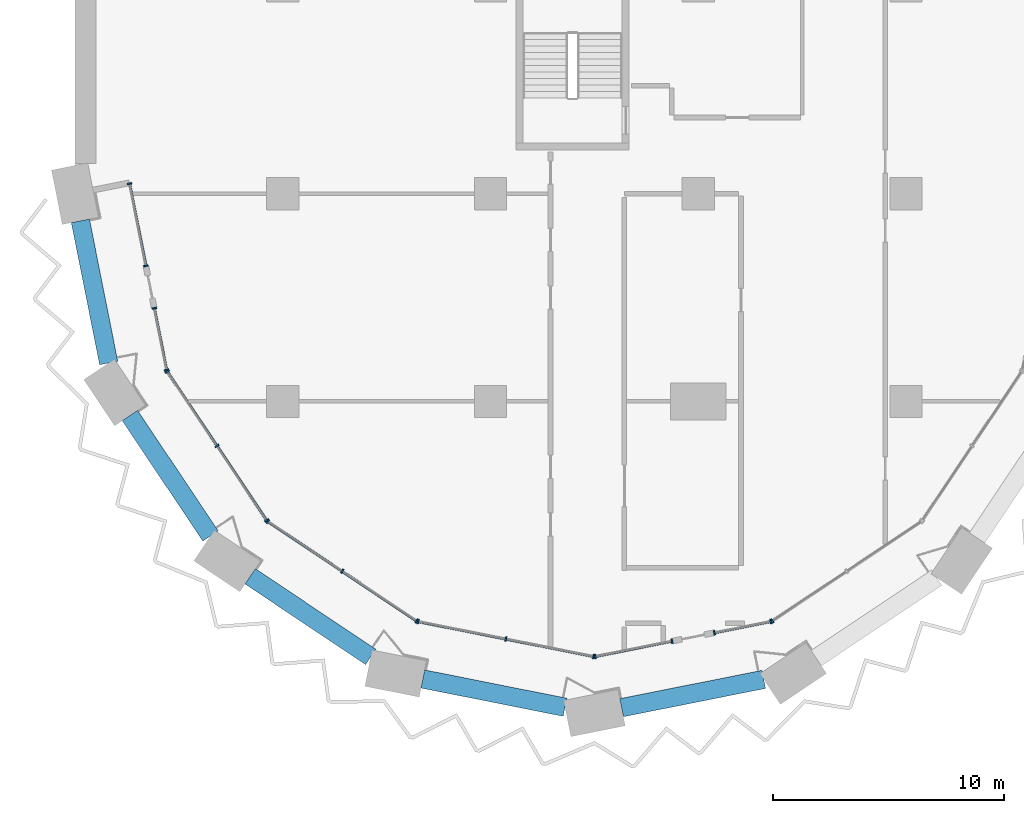
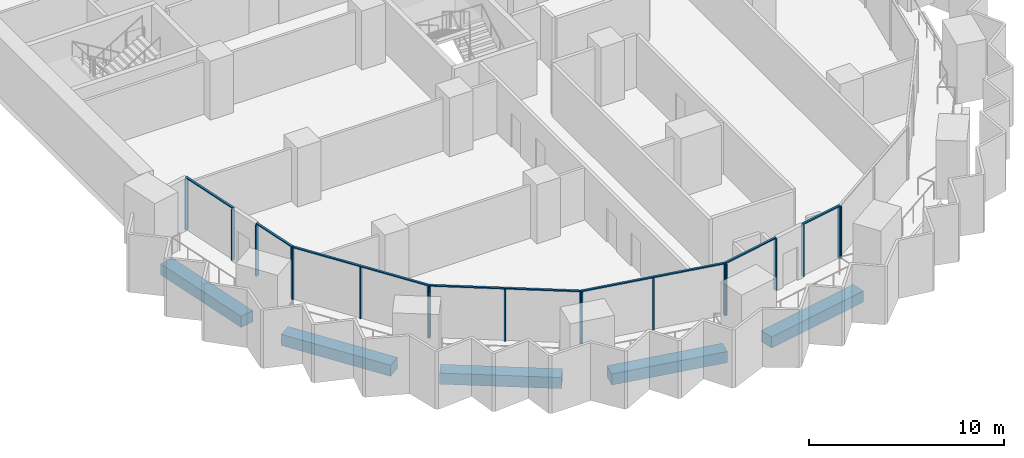
# One storey, part 2 of 28: 25 members, 5 beams, 8 elements without a shape of their own.
"""IFC4 building model written with IfcOpenShell, lengths in metres."""

from ifc_helpers import new_model, si_unit, direction, frame, origin, origin_2d, place, context, subcontext, project, spatial, rectangle, extrude, material, material_profile, profile_set, type_object, element, aggregate, save


model = new_model("IFC4")

# Units and contexts
model_context = context("Model", 3, precision=1e-05, world=origin(), true_north=direction((0.0, 1.0)))
body_context = subcontext(model_context, "Body", "Model", "MODEL_VIEW")
ifc_project = project(units=[si_unit("LENGTHUNIT", "METRE"), si_unit("AREAUNIT", "SQUARE_METRE"), si_unit("VOLUMEUNIT", "CUBIC_METRE"), si_unit("PLANEANGLEUNIT", "RADIAN"), si_unit("MASSUNIT", "GRAM", prefix="KILO")], contexts=[model_context])

# Site, building, storey
site_placement = place(None, origin())
site = spatial("IfcSite", under=ifc_project, at=site_placement, CompositionType="ELEMENT")
building_placement = place(site_placement, origin())
building = spatial("IfcBuilding", under=site, at=building_placement, Name="Hunhe Ridgeline Campus", CompositionType="ELEMENT")
storey_placement = place(building_placement, frame((0.0, 0.0, 61.699951171875)))
storey = spatial("IfcBuildingStorey", under=building, at=storey_placement, Name="L14", CompositionType="ELEMENT", Elevation=61.699951171875)

# Curtain wall, members
ifc_material_1 = material(Name="Aluminium 6063", Category="aluminium")
curtain_wall_type = type_object("IfcCurtainWallType", Name="Curtain wall CW-5", PredefinedType="NOTDEFINED", material=ifc_material_1)
curtain_wall_1_placement = place(storey_placement, origin())
curtain_wall_1 = element("IfcCurtainWall", 1, at=curtain_wall_1_placement, inside=storey, type_object=curtain_wall_type, Name="Curtain wall 01", PredefinedType="NOTDEFINED")
ifc_material_profile_1 = material_profile(ifc_material_1, rectangle(XDim=0.199951171875, YDim=0.070068359375, at=origin_2d()))
ifc_profile_set_1 = profile_set([ifc_material_profile_1], Name="Aluminium 6063")
member_type_1 = type_object("IfcMemberType", Name="CW-5 aluminium mullion", PredefinedType="MULLION", material=ifc_profile_set_1)
member_1_placement = place(storey_placement, frame((2.361572265625, 27.434326171875, 0.0), z_axis=(0.0, 0.0, 1.0), x_axis=(0.980784284924, 0.195095326561, 0.0)))
member_1 = element("IfcMember", 2, at=member_1_placement, type_object=member_type_1, Name="CW-5 mullion 1", PredefinedType="MULLION", context=body_context, shape_type="SweptSolid", body=[
    extrude(rectangle(XDim=0.199951171875, YDim=0.070068359375, at=origin_2d()), origin(), (0.0, 0.0, 1.0), 3.22998046875),
])
member_2_placement = place(storey_placement, frame((3.070068359375, 23.873291015625, 0.0), z_axis=(0.0, 0.0, 1.0), x_axis=(0.980784284924, 0.195095326561, 0.0)))
member_2 = element("IfcMember", 3, at=member_2_placement, type_object=member_type_1, Name="CW-5 mullion 2", PredefinedType="MULLION", context=body_context, shape_type="SweptSolid", body=[
    extrude(rectangle(XDim=0.199951171875, YDim=0.070068359375, at=origin_2d()), origin(), (0.0, 0.0, 1.0), 3.22998046875),
])

curtain_wall_2_placement = place(storey_placement, origin())
curtain_wall_2 = element("IfcCurtainWall", 4, at=curtain_wall_2_placement, inside=storey, type_object=curtain_wall_type, Name="Curtain wall 02", PredefinedType="NOTDEFINED")
member_3_placement = place(storey_placement, frame((3.434814453125, 22.0390625, 0.0), z_axis=(0.0, 0.0, 1.0), x_axis=(0.980784297053, 0.195095265587, 0.0)))
member_3 = element("IfcMember", 5, at=member_3_placement, type_object=member_type_1, Name="CW-5 mullion 1", PredefinedType="MULLION", context=body_context, shape_type="SweptSolid", body=[
    extrude(rectangle(XDim=0.199951171875, YDim=0.070068359375, at=origin_2d()), origin(), (0.0, 0.0, 1.0), 3.22998046875),
])
member_4_placement = place(storey_placement, frame((3.967529296875, 19.36083984375, 0.0), z_axis=(0.0, 0.0, 1.0), x_axis=(0.980784297053, 0.195095265587, 0.0)))
member_4 = element("IfcMember", 6, at=member_4_placement, type_object=member_type_1, Name="CW-5 mullion 2", PredefinedType="MULLION", context=body_context, shape_type="SweptSolid", body=[
    extrude(rectangle(XDim=0.199951171875, YDim=0.070068359375, at=origin_2d()), origin(), (0.0, 0.0, 1.0), 3.22998046875),
])

curtain_wall_3_placement = place(storey_placement, origin())
curtain_wall_3 = element("IfcCurtainWall", 7, at=curtain_wall_3_placement, inside=storey, type_object=curtain_wall_type, Name="Curtain wall 03", PredefinedType="NOTDEFINED")
member_5_placement = place(storey_placement, frame((3.993896484375, 19.29736328125, 0.0), z_axis=(0.0, 0.0, 1.0), x_axis=(0.831469584522, 0.555570274596, 0.0)))
member_5 = element("IfcMember", 8, at=member_5_placement, type_object=member_type_1, Name="CW-5 mullion 1", PredefinedType="MULLION", context=body_context, shape_type="SweptSolid", body=[
    extrude(rectangle(XDim=0.199951171875, YDim=0.070068359375, at=origin_2d()), origin(), (0.0, 0.0, 1.0), 3.22998046875),
])
member_6_placement = place(storey_placement, frame((6.147705078125, 16.07373046875, 0.0), z_axis=(0.0, 0.0, 1.0), x_axis=(0.831469584522, 0.555570274596, 0.0)))
member_6 = element("IfcMember", 9, at=member_6_placement, type_object=member_type_1, Name="CW-5 mullion 2", PredefinedType="MULLION", context=body_context, shape_type="SweptSolid", body=[
    extrude(rectangle(XDim=0.199951171875, YDim=0.070068359375, at=origin_2d()), origin(), (0.0, 0.0, 1.0), 3.22998046875),
])
member_7_placement = place(storey_placement, frame((8.3017578125, 12.850341796875, 0.0), z_axis=(0.0, 0.0, 1.0), x_axis=(0.831469584522, 0.555570274596, 0.0)))
member_7 = element("IfcMember", 10, at=member_7_placement, type_object=member_type_1, Name="CW-5 mullion 3", PredefinedType="MULLION", context=body_context, shape_type="SweptSolid", body=[
    extrude(rectangle(XDim=0.199951171875, YDim=0.070068359375, at=origin_2d()), origin(), (0.0, 0.0, 1.0), 3.22998046875),
])

curtain_wall_4_placement = place(storey_placement, origin())
curtain_wall_4 = element("IfcCurtainWall", 11, at=curtain_wall_4_placement, inside=storey, type_object=curtain_wall_type, Name="Curtain wall 04", PredefinedType="NOTDEFINED")
member_8_placement = place(storey_placement, frame((8.350341796875, 12.8017578125, 0.0), z_axis=(0.0, 0.0, 1.0), x_axis=(0.555570274596, 0.831469584522, 0.0)))
member_8 = element("IfcMember", 12, at=member_8_placement, type_object=member_type_1, Name="CW-5 mullion 1", PredefinedType="MULLION", context=body_context, shape_type="SweptSolid", body=[
    extrude(rectangle(XDim=0.199951171875, YDim=0.070068359375, at=origin_2d()), origin(), (0.0, 0.0, 1.0), 3.22998046875),
])
member_9_placement = place(storey_placement, frame((11.57373046875, 10.647705078125, 0.0), z_axis=(0.0, 0.0, 1.0), x_axis=(0.555570274596, 0.831469584522, 0.0)))
member_9 = element("IfcMember", 13, at=member_9_placement, type_object=member_type_1, Name="CW-5 mullion 2", PredefinedType="MULLION", context=body_context, shape_type="SweptSolid", body=[
    extrude(rectangle(XDim=0.199951171875, YDim=0.070068359375, at=origin_2d()), origin(), (0.0, 0.0, 1.0), 3.22998046875),
])
member_10_placement = place(storey_placement, frame((14.79736328125, 8.493896484375, 0.0), z_axis=(0.0, 0.0, 1.0), x_axis=(0.555570274596, 0.831469584522, 0.0)))
member_10 = element("IfcMember", 14, at=member_10_placement, type_object=member_type_1, Name="CW-5 mullion 3", PredefinedType="MULLION", context=body_context, shape_type="SweptSolid", body=[
    extrude(rectangle(XDim=0.199951171875, YDim=0.070068359375, at=origin_2d()), origin(), (0.0, 0.0, 1.0), 3.22998046875),
])

curtain_wall_5_placement = place(storey_placement, origin())
curtain_wall_5 = element("IfcCurtainWall", 15, at=curtain_wall_5_placement, inside=storey, type_object=curtain_wall_type, Name="Curtain wall 05", PredefinedType="NOTDEFINED")
member_11_placement = place(storey_placement, frame((14.86083984375, 8.467529296875, 0.0), z_axis=(0.0, 0.0, 1.0), x_axis=(0.195090347539, 0.980785275326, 0.0)))
member_11 = element("IfcMember", 16, at=member_11_placement, type_object=member_type_1, Name="CW-5 mullion 1", PredefinedType="MULLION", context=body_context, shape_type="SweptSolid", body=[
    extrude(rectangle(XDim=0.199951171875, YDim=0.070068359375, at=origin_2d()), origin(), (0.0, 0.0, 1.0), 3.22998046875),
])
member_12_placement = place(storey_placement, frame((18.663330078125, 7.711181640625, 0.0), z_axis=(0.0, 0.0, 1.0), x_axis=(0.195090347539, 0.980785275326, 0.0)))
member_12 = element("IfcMember", 17, at=member_12_placement, type_object=member_type_1, Name="CW-5 mullion 2", PredefinedType="MULLION", context=body_context, shape_type="SweptSolid", body=[
    extrude(rectangle(XDim=0.199951171875, YDim=0.070068359375, at=origin_2d()), origin(), (0.0, 0.0, 1.0), 3.22998046875),
])
member_13_placement = place(storey_placement, frame((22.465576171875, 6.954833984375, 0.0), z_axis=(0.0, 0.0, 1.0), x_axis=(0.195090347539, 0.980785275326, 0.0)))
member_13 = element("IfcMember", 18, at=member_13_placement, type_object=member_type_1, Name="CW-5 mullion 3", PredefinedType="MULLION", context=body_context, shape_type="SweptSolid", body=[
    extrude(rectangle(XDim=0.199951171875, YDim=0.070068359375, at=origin_2d()), origin(), (0.0, 0.0, 1.0), 3.22998046875),
])

curtain_wall_6_placement = place(storey_placement, origin())
curtain_wall_6 = element("IfcCurtainWall", 19, at=curtain_wall_6_placement, inside=storey, type_object=curtain_wall_type, Name="Curtain wall 06", PredefinedType="NOTDEFINED")
member_14_placement = place(storey_placement, frame((22.534423828125, 6.954833984375, 0.0), z_axis=(0.0, 0.0, 1.0), x_axis=(-0.19509037034, 0.980785270791, 0.0)))
member_14 = element("IfcMember", 20, at=member_14_placement, type_object=member_type_1, Name="CW-5 mullion 1", PredefinedType="MULLION", context=body_context, shape_type="SweptSolid", body=[
    extrude(rectangle(XDim=0.199951171875, YDim=0.070068359375, at=origin_2d()), origin(), (0.0, 0.0, 1.0), 3.22998046875),
])
member_15_placement = place(storey_placement, frame((25.861083984375, 7.61669921875, 0.0), z_axis=(0.0, 0.0, 1.0), x_axis=(-0.19509037034, 0.980785270791, 0.0)))
member_15 = element("IfcMember", 21, at=member_15_placement, type_object=member_type_1, Name="CW-5 mullion 2", PredefinedType="MULLION", context=body_context, shape_type="SweptSolid", body=[
    extrude(rectangle(XDim=0.199951171875, YDim=0.070068359375, at=origin_2d()), origin(), (0.0, 0.0, 1.0), 3.22998046875),
])

curtain_wall_7_placement = place(storey_placement, origin())
curtain_wall_7 = element("IfcCurtainWall", 22, at=curtain_wall_7_placement, inside=storey, type_object=curtain_wall_type, Name="Curtain wall 07", PredefinedType="NOTDEFINED")
member_16_placement = place(storey_placement, frame((27.695068359375, 7.9814453125, 0.0), z_axis=(0.0, 0.0, 1.0), x_axis=(-0.195090514627, 0.980785242091, 0.0)))
member_16 = element("IfcMember", 23, at=member_16_placement, type_object=member_type_1, Name="CW-5 mullion 1", PredefinedType="MULLION", context=body_context, shape_type="SweptSolid", body=[
    extrude(rectangle(XDim=0.199951171875, YDim=0.070068359375, at=origin_2d()), origin(), (0.0, 0.0, 1.0), 3.22998046875),
])
member_17_placement = place(storey_placement, frame((30.13916015625, 8.467529296875, 0.0), z_axis=(0.0, 0.0, 1.0), x_axis=(-0.195090514627, 0.980785242091, 0.0)))
member_17 = element("IfcMember", 24, at=member_17_placement, type_object=member_type_1, Name="CW-5 mullion 2", PredefinedType="MULLION", context=body_context, shape_type="SweptSolid", body=[
    extrude(rectangle(XDim=0.199951171875, YDim=0.070068359375, at=origin_2d()), origin(), (0.0, 0.0, 1.0), 3.22998046875),
])

# Curtain wall, member
curtain_wall_8_placement = place(storey_placement, origin())
curtain_wall_8 = element("IfcCurtainWall", 25, at=curtain_wall_8_placement, inside=storey, type_object=curtain_wall_type, Name="Curtain wall 08", PredefinedType="NOTDEFINED")
member_18_placement = place(storey_placement, frame((30.20263671875, 8.493896484375, 0.0), z_axis=(0.0, 0.0, 1.0), x_axis=(-0.555570274596, 0.831469584522, 0.0)))
member_18 = element("IfcMember", 26, at=member_18_placement, type_object=member_type_1, Name="CW-5 mullion 1", PredefinedType="MULLION", context=body_context, shape_type="SweptSolid", body=[
    extrude(rectangle(XDim=0.199951171875, YDim=0.070068359375, at=origin_2d()), origin(), (0.0, 0.0, 1.0), 3.22998046875),
])
aggregate(curtain_wall_8, [member_18])

# Member
ifc_material_profile_2 = material_profile(ifc_material_1, rectangle(XDim=0.1201171875, YDim=0.070068359375, at=origin_2d()))
ifc_profile_set_2 = profile_set([ifc_material_profile_2], Name="Aluminium 6063")
member_type_2 = type_object("IfcMemberType", Name="CW-5 aluminium transom", PredefinedType="USERDEFINED", material=ifc_profile_set_2)
member_19_placement = place(storey_placement, frame((2.354736328125, 27.46875, 3.26513671875), z_axis=(0.195126549745, -0.980778073564, 0.0), x_axis=(0.980778073564, 0.195126549745, 0.0)))
member_19 = element("IfcMember", 27, at=member_19_placement, type_object=member_type_2, Name="CW-5 transom 1", ObjectType="TRANSOM", PredefinedType="USERDEFINED", context=body_context, shape_type="SweptSolid", body=[
    extrude(rectangle(XDim=0.1201171875, YDim=0.070068359375, at=origin_2d()), origin(), (0.0, 0.0, 1.0), 3.700927734375),
])

aggregate(curtain_wall_1, [member_19, member_1, member_2])

member_20_placement = place(storey_placement, frame((3.427978515625, 22.073486328125, 3.26513671875), z_axis=(0.195076742145, -0.98078798151, 0.0), x_axis=(0.98078798151, 0.195076742145, 0.0)))
member_20 = element("IfcMember", 28, at=member_20_placement, type_object=member_type_2, Name="CW-5 transom 1", ObjectType="TRANSOM", PredefinedType="USERDEFINED", context=body_context, shape_type="SweptSolid", body=[
    extrude(rectangle(XDim=0.1201171875, YDim=0.070068359375, at=origin_2d()), origin(), (0.0, 0.0, 1.0), 2.80078125),
])

aggregate(curtain_wall_2, [member_20, member_3, member_4])

member_21_placement = place(storey_placement, frame((3.974365234375, 19.326416015625, 3.26513671875), z_axis=(0.5555640203, -0.831473763475, 0.0), x_axis=(0.831473763475, 0.5555640203, 0.0)))
member_21 = element("IfcMember", 29, at=member_21_placement, type_object=member_type_2, Name="CW-5 transom 1", ObjectType="TRANSOM", PredefinedType="USERDEFINED", context=body_context, shape_type="SweptSolid", body=[
    extrude(rectangle(XDim=0.1201171875, YDim=0.070068359375, at=origin_2d()), origin(), (0.0, 0.0, 1.0), 7.823974609375),
])

aggregate(curtain_wall_3, [member_21, member_5, member_6, member_7])

member_22_placement = place(storey_placement, frame((8.321044921875, 12.821044921875, 3.26513671875), z_axis=(0.831473763475, -0.5555640203, 0.0), x_axis=(0.5555640203, 0.831473763475, 0.0)))
member_22 = element("IfcMember", 30, at=member_22_placement, type_object=member_type_2, Name="CW-5 transom 1", ObjectType="TRANSOM", PredefinedType="USERDEFINED", context=body_context, shape_type="SweptSolid", body=[
    extrude(rectangle(XDim=0.1201171875, YDim=0.070068359375, at=origin_2d()), origin(), (0.0, 0.0, 1.0), 7.823974609375),
])

aggregate(curtain_wall_4, [member_22, member_8, member_9, member_10])

member_23_placement = place(storey_placement, frame((14.826416015625, 8.474365234375, 3.26513671875), z_axis=(0.980785367689, -0.195089883198, 0.0), x_axis=(0.195089883198, 0.980785367689, 0.0)))
member_23 = element("IfcMember", 31, at=member_23_placement, type_object=member_type_2, Name="CW-5 transom 1", ObjectType="TRANSOM", PredefinedType="USERDEFINED", context=body_context, shape_type="SweptSolid", body=[
    extrude(rectangle(XDim=0.1201171875, YDim=0.070068359375, at=origin_2d()), origin(), (0.0, 0.0, 1.0), 7.823974609375),
])

aggregate(curtain_wall_5, [member_23, member_11, member_12, member_13])

member_24_placement = place(storey_placement, frame((22.5, 6.947998046875, 3.26513671875), z_axis=(0.980778171596, 0.195126057004, 0.0), x_axis=(-0.195126057004, 0.980778171596, 0.0)))
member_24 = element("IfcMember", 32, at=member_24_placement, type_object=member_type_2, Name="CW-5 transom 1", ObjectType="TRANSOM", PredefinedType="USERDEFINED", context=body_context, shape_type="SweptSolid", body=[
    extrude(rectangle(XDim=0.1201171875, YDim=0.070068359375, at=origin_2d()), origin(), (0.0, 0.0, 1.0), 3.462158203125),
])

aggregate(curtain_wall_6, [member_24, member_14, member_15])

member_25_placement = place(storey_placement, frame((27.660888671875, 7.974609375, 3.26513671875), z_axis=(0.980789038007, 0.195071430315, 0.0), x_axis=(-0.195071430315, 0.980789038007, 0.0)))
member_25 = element("IfcMember", 33, at=member_25_placement, type_object=member_type_2, Name="CW-5 transom 1", ObjectType="TRANSOM", PredefinedType="USERDEFINED", context=body_context, shape_type="SweptSolid", body=[
    extrude(rectangle(XDim=0.1201171875, YDim=0.070068359375, at=origin_2d()), origin(), (0.0, 0.0, 1.0), 2.56201171875),
])

aggregate(curtain_wall_7, [member_25, member_16, member_17])

# Beams
ifc_material_2 = material(Name="Concrete C60", Category="concrete")
ifc_material_profile_3 = material_profile(ifc_material_2, rectangle(XDim=0.800048828125, YDim=0.699951171875, at=origin_2d()))
ifc_profile_set_3 = profile_set([ifc_material_profile_3], Name="Concrete C60")
beam_type = type_object("IfcBeamType", Name="RC spandrel beam 800x700 Concrete C60", PredefinedType="SPANDREL", material=ifc_profile_set_3)
for number, where, z_axis, x_axis, name in (
    (34, (0.234130859375, 25.822998046875, -0.599853515625), (0.195076855144, -0.980787959034, 0.0), (0.980787959034, 0.195076855144, 0.0), "Spandrel beam B1-1 L14"),
    (35, (2.37939453125, 17.391845703125, -0.599853515625), (0.555570106491, -0.831469696846, 0.0), (0.831469696846, 0.555570106491, 0.0), "Spandrel beam B1-2 L14"),
    (36, (7.587890625, 10.42333984375, -0.599853515625), (0.831469696846, -0.555570106491, 0.0), (0.555570106491, 0.831469696846, 0.0), "Spandrel beam B1-3 L14"),
    (37, (15.066650390625, 5.978515625, -0.599853515625), (0.980787959034, -0.195076855144, 0.0), (0.195076855144, 0.980787959034, 0.0), "Spandrel beam B1-4 L14"),
    (38, (23.677001953125, 4.734130859375, -0.599853515625), (0.980787959034, 0.195076855144, 0.0), (-0.195076855144, 0.980787959034, 0.0), "Spandrel beam B1-5 L14"),
):
    element("IfcBeam", number, at=place(storey_placement, frame(where, z_axis=z_axis, x_axis=x_axis)), inside=storey, type_object=beam_type, Name=name, PredefinedType="SPANDREL", context=body_context, shape_type="SweptSolid", body=[
        extrude(rectangle(XDim=0.800048828125, YDim=0.699951171875, at=origin_2d()), origin(), (0.0, 0.0, 1.0), 6.280029296875),
    ])

save(model, "model.ifc")
